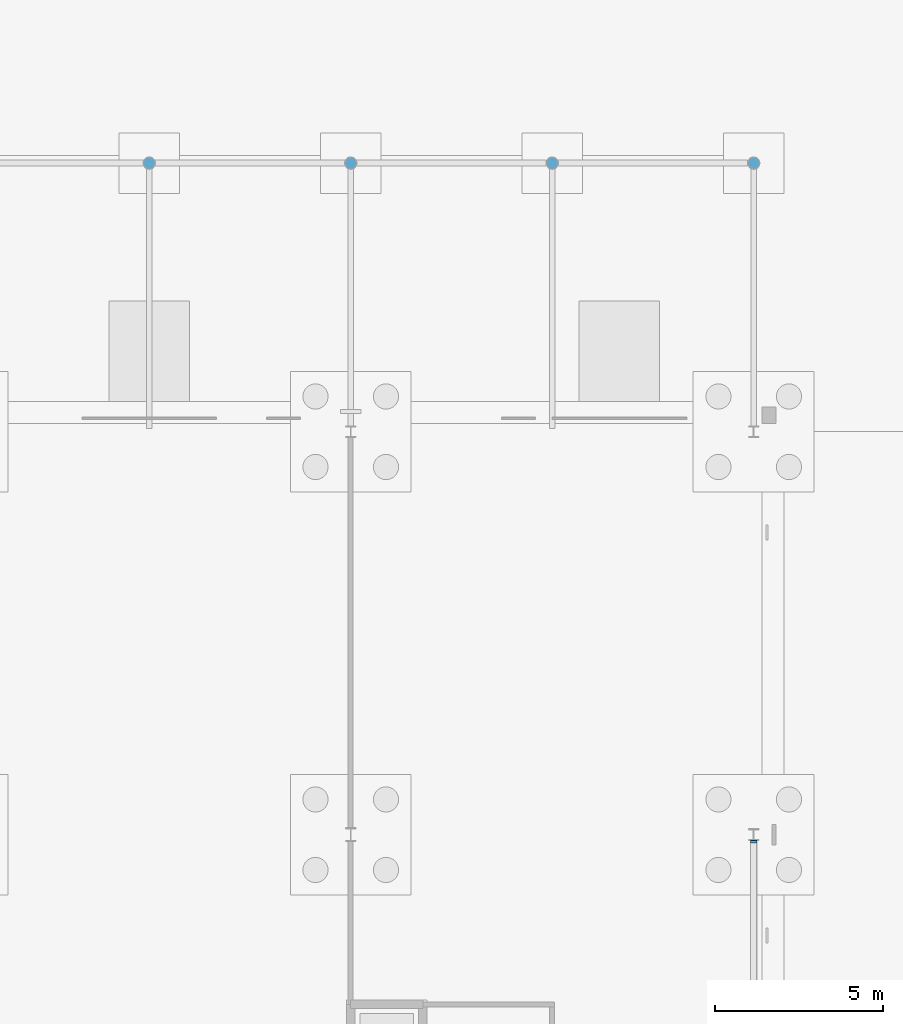
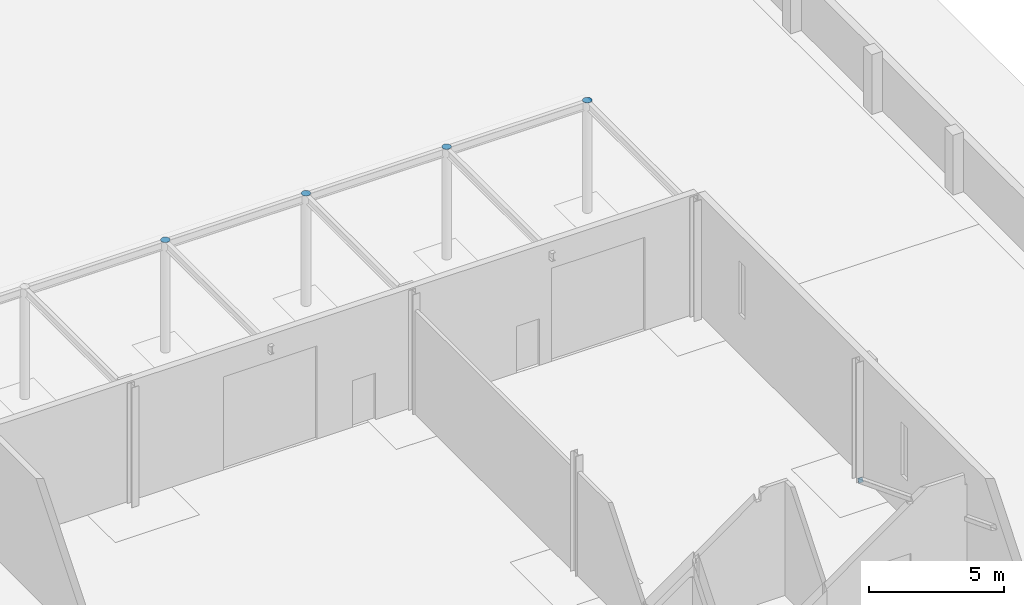
# One storey, part 119 of 132: 5 discrete accessories.
"""IFC4 building model written with IfcOpenShell, lengths in metres."""

from ifc_helpers import new_model, si_unit, direction, frame, origin, origin_2d, place, context, subcontext, project, spatial, rectangle, circle, extrude, material, material_profile, profile_set, type_object, element, save


model = new_model("IFC4")

# Units and contexts
model_context = context("Model", 3, precision=1e-05, world=origin(), true_north=direction((0.0, 1.0)))
body_context = subcontext(model_context, "Body", "Model", "MODEL_VIEW")
ifc_project = project(units=[si_unit("LENGTHUNIT", "METRE"), si_unit("AREAUNIT", "SQUARE_METRE"), si_unit("VOLUMEUNIT", "CUBIC_METRE"), si_unit("PLANEANGLEUNIT", "RADIAN"), si_unit("MASSUNIT", "GRAM", prefix="KILO")], contexts=[model_context])

# Site, building, storey
site_placement = place(None, origin())
site = spatial("IfcSite", under=ifc_project, at=site_placement, CompositionType="ELEMENT")
building_placement = place(site_placement, origin())
building = spatial("IfcBuilding", under=site, at=building_placement, Name="Ravi Spectrum Wholesale Market", CompositionType="ELEMENT")
storey_placement = place(building_placement, origin())
storey = spatial("IfcBuildingStorey", under=building, at=storey_placement, Name="L00", CompositionType="ELEMENT", Elevation=0.0)

# Discrete accessories
ifc_material_1 = material(Name="Steel S355", Category="steel")
ifc_material_profile_1 = material_profile(ifc_material_1, circle(Radius=0.177734375, at=origin_2d()))
ifc_profile_set_1 = profile_set([ifc_material_profile_1], Name="Steel S355")
discrete_accessory_type_1 = type_object("IfcDiscreteAccessoryType", Name="End plate CHS 355.6x12.5", PredefinedType="BRACKET", material=ifc_profile_set_1)
for number, where, z_axis, x_axis, name in (
    (1, (264.0, 74.0, 4.97998046875), (0.0, 0.0, 1.0), (1.0, 0.0, 0.0), "End plate"),
    (2, (270.0, 74.0, 4.97998046875), (0.0, 0.0, 1.0), (1.0, 0.0, 0.0), "End plate"),
    (3, (276.0, 74.0, 4.97998046875), (0.0, 0.0, 1.0), (1.0, 0.0, 0.0), "End plate"),
    (4, (282.0, 74.0, 4.97998046875), (0.0, 0.0, 1.0), (1.0, 0.0, 0.0), "End plate"),
):
    element("IfcDiscreteAccessory", number, at=place(storey_placement, frame(where, z_axis=z_axis, x_axis=x_axis)), inside=storey, type_object=discrete_accessory_type_1, Name=name, PredefinedType="BRACKET", context=body_context, shape_type="SweptSolid", body=[
        extrude(circle(Radius=0.177734375, at=origin_2d()), origin(), (0.0, 0.0, 1.0), 0.011962890625),
    ])
ifc_material_2 = material(Name="Steel S355", Category="steel")
ifc_material_profile_2 = material_profile(ifc_material_2, rectangle(XDim=0.199951171875, YDim=0.199951171875, at=origin_2d()))
ifc_profile_set_2 = profile_set([ifc_material_profile_2], Name="Steel S355")
discrete_accessory_type_2 = type_object("IfcDiscreteAccessoryType", Name="End plate SHS 200x200x8", PredefinedType="BRACKET", material=ifc_profile_set_2)
discrete_accessory_placement = place(storey_placement, frame((282.0, 53.793701171875, 0.09326171875), z_axis=(0.0, 0.931242779706, -0.364399348581), x_axis=(-1.0, 0.0, 0.0)))
element("IfcDiscreteAccessory", 5, at=discrete_accessory_placement, inside=storey, type_object=discrete_accessory_type_2, Name="End plate", PredefinedType="BRACKET", context=body_context, shape_type="SweptSolid", body=[
    extrude(rectangle(XDim=0.199951171875, YDim=0.199951171875, at=origin_2d()), origin(), (0.0, 0.0, 1.0), 0.011962890625),
])

save(model, "model.ifc")
